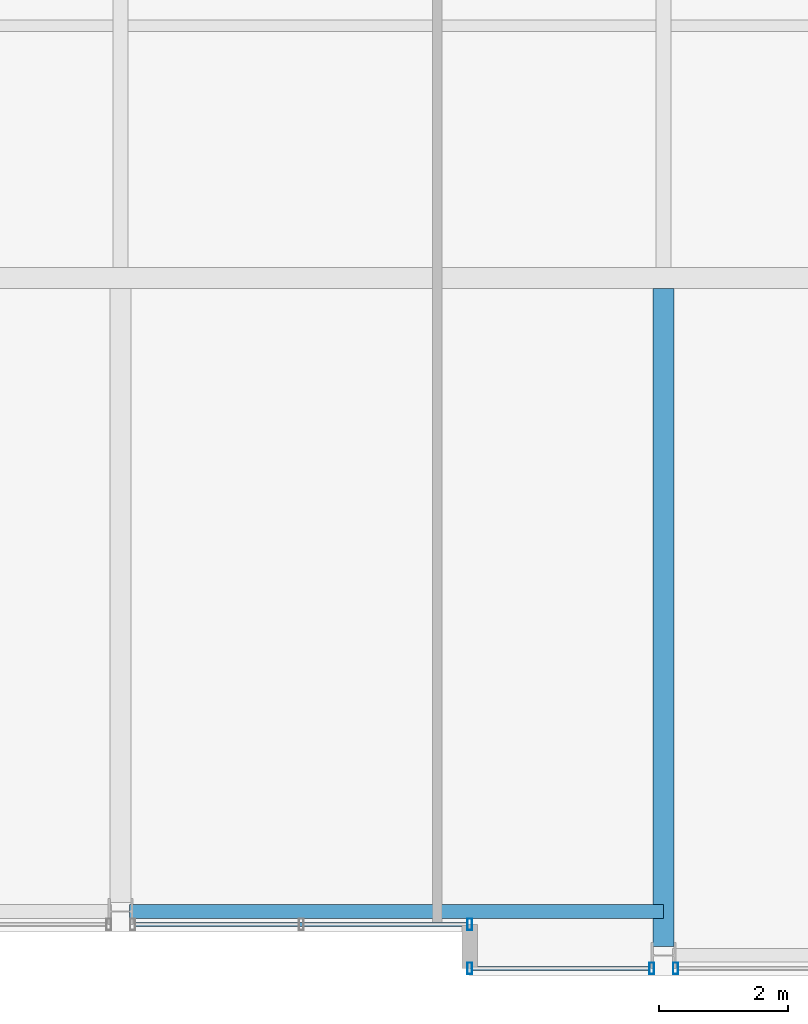
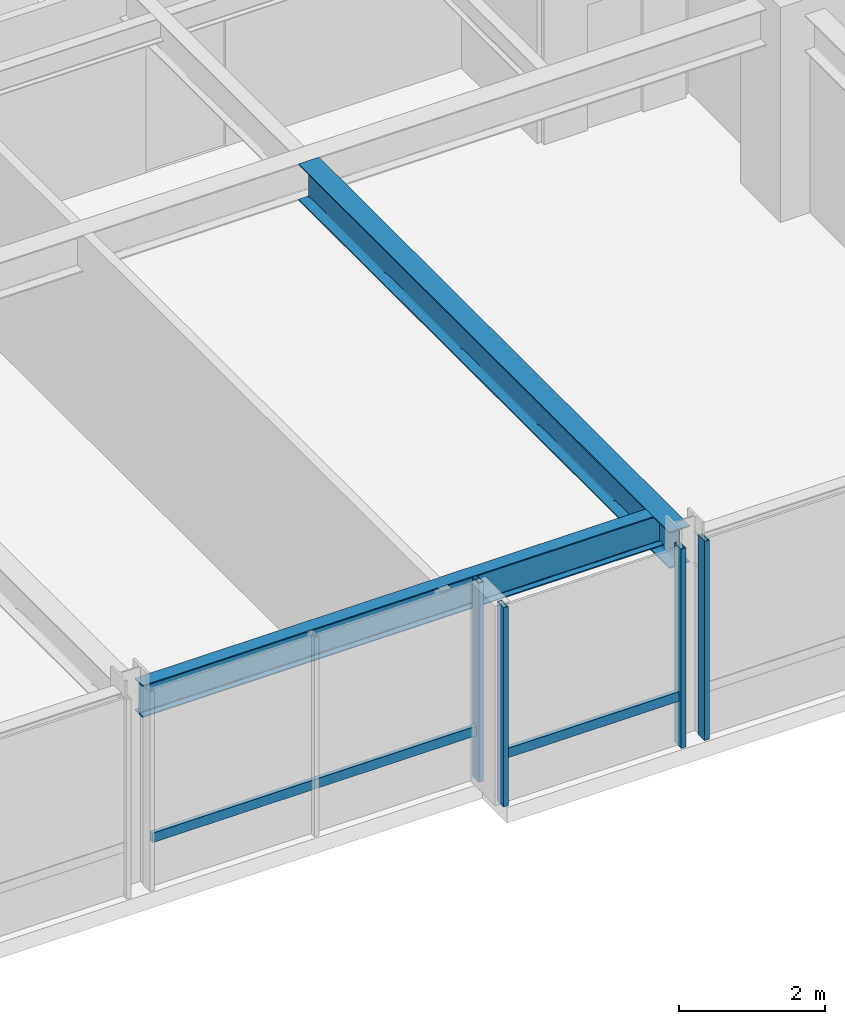
# One storey, part 7 of 32: 6 members, 2 beams, 3 elements without a shape of their own.
"""IFC4 building model written with IfcOpenShell, lengths in metres."""

from ifc_helpers import new_model, si_unit, direction, frame, origin, origin_2d, place, context, subcontext, project, spatial, hollow_rectangle, i_section, extrude, material, layer, layer_set, material_profile, profile_set, type_object, element, aggregate, save


model = new_model("IFC4")

# Units and contexts
model_context = context("Model", 3, precision=1e-05, world=origin(), true_north=direction((0.0, 1.0)))
body_context = subcontext(model_context, "Body", "Model", "MODEL_VIEW")
ifc_project = project(units=[si_unit("LENGTHUNIT", "METRE"), si_unit("AREAUNIT", "SQUARE_METRE"), si_unit("VOLUMEUNIT", "CUBIC_METRE"), si_unit("PLANEANGLEUNIT", "RADIAN"), si_unit("MASSUNIT", "GRAM", prefix="KILO")], contexts=[model_context])

# Site, building, storey
site_placement = place(None, origin())
site = spatial("IfcSite", under=ifc_project, at=site_placement, CompositionType="ELEMENT")
building_placement = place(site_placement, origin())
building = spatial("IfcBuilding", under=site, at=building_placement, Name="Drelvath Grand Hotel", CompositionType="ELEMENT")
storey_placement = place(building_placement, frame((0.0, 0.0, 223.10009765625)))
storey = spatial("IfcBuildingStorey", under=building, at=storey_placement, Name="L58", CompositionType="ELEMENT", Elevation=223.10009765625)

# Curtain wall, member
ifc_material_1 = material(Name="Platinum-Mist Anodised Aluminium Frame", Category="aluminium")
ifc_layer = layer(ifc_material_1, 0.199951171875)
ifc_layer_set = layer_set([ifc_layer], Name="Platinum-Mist Anodised Aluminium Frame")
curtain_wall_type = type_object("IfcCurtainWallType", Name="Stick Curtain Wall CW-05 Platinum Mist High-Rise", PredefinedType="NOTDEFINED", material=ifc_layer_set)
curtain_wall_1_placement = place(storey_placement, origin())
curtain_wall_1 = element("IfcCurtainWall", 1, at=curtain_wall_1_placement, inside=storey, type_object=curtain_wall_type, Name="L58 CW-05 Curtain Wall CW05-L58-SE1", PredefinedType="NOTDEFINED")
ifc_material_profile_1 = material_profile(ifc_material_1, hollow_rectangle(XDim=0.06494140625, YDim=0.159912109375, WallThickness=0.00390625, at=origin_2d()), Name="HSS160X65X4")
ifc_profile_set_1 = profile_set([ifc_material_profile_1], Name="Platinum-Mist Anodised Aluminium Frame")
member_type_1 = type_object("IfcMemberType", Name="Curtain Wall Horizontal Transom CW-05 HSS160X65X4", PredefinedType="USERDEFINED", material=ifc_profile_set_1)
member_1_placement = place(storey_placement, frame((8.1748046875, 0.1201171875, 0.8349609375), z_axis=(-1.0, 0.0, 0.0), x_axis=(0.0, -1.0, 0.0)))
member_1 = element("IfcMember", 2, at=member_1_placement, type_object=member_type_1, Name="CW05-L58-SE1 Sill Transom", ObjectType="TRANSOM", PredefinedType="USERDEFINED", context=body_context, shape_type="SweptSolid", body=[
    extrude(hollow_rectangle(XDim=0.06494140625, YDim=0.159912109375, WallThickness=0.00390625, at=origin_2d()), origin(), (0.0, 0.0, 1.0), 2.73486328125),
])

curtain_wall_2_placement = place(storey_placement, origin())
curtain_wall_2 = element("IfcCurtainWall", 3, at=curtain_wall_2_placement, inside=storey, type_object=curtain_wall_type, Name="L58 CW-05 Curtain Wall CW05-L58-SM2", PredefinedType="NOTDEFINED")
member_2_placement = place(storey_placement, frame((5.360107421875, 0.800048828125, 0.8349609375), z_axis=(-1.0, 0.0, 0.0), x_axis=(0.0, -1.0, 0.0)))
member_2 = element("IfcMember", 4, at=member_2_placement, type_object=member_type_1, Name="CW05-L58-SM2 Sill Transom", ObjectType="TRANSOM", PredefinedType="USERDEFINED", context=body_context, shape_type="SweptSolid", body=[
    extrude(hollow_rectangle(XDim=0.06494140625, YDim=0.159912109375, WallThickness=0.00390625, at=origin_2d()), origin(), (0.0, 0.0, 1.0), 5.134765625),
])

# Member
ifc_material_profile_2 = material_profile(ifc_material_1, hollow_rectangle(XDim=0.074951171875, YDim=0.179931640625, WallThickness=0.0048828125, at=origin_2d()), Name="HSS180X75X5")
ifc_profile_set_2 = profile_set([ifc_material_profile_2], Name="Platinum-Mist Anodised Aluminium Frame")
member_type_2 = type_object("IfcMemberType", Name="Curtain Wall Vertical Mullion CW-05 HSS180X75X5", PredefinedType="MULLION", material=ifc_profile_set_2)
member_3_placement = place(storey_placement, frame((8.214599609375, 0.1201171875, 0.0), z_axis=(0.0, 0.0, 1.0), x_axis=(1.0, 0.0, 0.0)))
member_3 = element("IfcMember", 5, at=member_3_placement, type_object=member_type_2, Name="CW05-L58-SE1 Mullion 1", PredefinedType="MULLION", context=body_context, shape_type="SweptSolid", body=[
    extrude(hollow_rectangle(XDim=0.074951171875, YDim=0.179931640625, WallThickness=0.0048828125, at=origin_2d()), origin(), (0.0, 0.0, 1.0), 3.33984375),
])

member_4_placement = place(storey_placement, frame((5.39990234375, 0.1201171875, 0.0), z_axis=(0.0, 0.0, 1.0), x_axis=(1.0, 0.0, 0.0)))
member_4 = element("IfcMember", 6, at=member_4_placement, type_object=member_type_2, Name="CW05-L58-SE1 Mullion 2", PredefinedType="MULLION", context=body_context, shape_type="SweptSolid", body=[
    extrude(hollow_rectangle(XDim=0.074951171875, YDim=0.179931640625, WallThickness=0.0048828125, at=origin_2d()), origin(), (0.0, 0.0, 1.0), 3.33984375),
])

aggregate(curtain_wall_1, [member_3, member_4, member_1])

# Curtain wall, member
curtain_wall_3_placement = place(storey_placement, origin())
curtain_wall_3 = element("IfcCurtainWall", 7, at=curtain_wall_3_placement, inside=storey, type_object=curtain_wall_type, Name="L58 CW-05 Curtain Wall CW05-L58-SE2", PredefinedType="NOTDEFINED")
member_5_placement = place(storey_placement, frame((8.585205078125, 0.1201171875, 0.0), z_axis=(0.0, 0.0, 1.0), x_axis=(1.0, 0.0, 0.0)))
member_5 = element("IfcMember", 8, at=member_5_placement, type_object=member_type_2, Name="CW05-L58-SE2 Mullion 3", PredefinedType="MULLION", context=body_context, shape_type="SweptSolid", body=[
    extrude(hollow_rectangle(XDim=0.074951171875, YDim=0.179931640625, WallThickness=0.0048828125, at=origin_2d()), origin(), (0.0, 0.0, 1.0), 3.33984375),
])
aggregate(curtain_wall_3, [member_5])

# Member
member_6_placement = place(storey_placement, frame((5.39990234375, 0.800048828125, 0.0), z_axis=(0.0, 0.0, 1.0), x_axis=(1.0, 0.0, 0.0)))
member_6 = element("IfcMember", 9, at=member_6_placement, type_object=member_type_2, Name="CW05-L58-SM2 Mullion 1", PredefinedType="MULLION", context=body_context, shape_type="SweptSolid", body=[
    extrude(hollow_rectangle(XDim=0.074951171875, YDim=0.179931640625, WallThickness=0.0048828125, at=origin_2d()), origin(), (0.0, 0.0, 1.0), 3.33984375),
])

aggregate(curtain_wall_2, [member_6, member_2])

# Beams
ifc_material_2 = material(Name="Steel ASTM A992 Gr 50", Category="steel")
ifc_material_profile_3 = material_profile(ifc_material_2, i_section(OverallWidth=0.210205078125, OverallDepth=0.53662109375, WebThickness=0.010986328125, FlangeThickness=0.017333984375, FilletRadius=0.01806640625, at=origin_2d()), Name="W21X68")
ifc_profile_set_3 = profile_set([ifc_material_profile_3], Name="Steel ASTM A992 Gr 50")
beam_type_1 = type_object("IfcBeamType", Name="Perimeter Spandrel Beam W21X68", PredefinedType="SPANDREL", material=ifc_profile_set_3)
beam_1_placement = place(storey_placement, frame((0.139892578125, 1.0, 3.071533203125), z_axis=(1.0, 0.0, 0.0), x_axis=(0.0, 1.0, 0.0)))
element("IfcBeam", 10, at=beam_1_placement, inside=storey, type_object=beam_type_1, Name="L58 Spandrel South Mid E", PredefinedType="SPANDREL", context=body_context, shape_type="SweptSolid", body=[
    extrude(i_section(OverallWidth=0.210205078125, OverallDepth=0.53662109375, WebThickness=0.010986328125, FlangeThickness=0.017333984375, FilletRadius=0.01806640625, at=origin_2d()), origin(), (0.0, 0.0, 1.0), 8.260009765625),
])
ifc_material_profile_4 = material_profile(ifc_material_2, i_section(OverallWidth=0.323974609375, OverallDepth=0.611083984375, WebThickness=0.0126953125, FlangeThickness=0.01904296875, FilletRadius=0.02197265625, at=origin_2d()), Name="W24X104")
ifc_profile_set_4 = profile_set([ifc_material_profile_4], Name="Steel ASTM A992 Gr 50")
beam_type_2 = type_object("IfcBeamType", Name="Primary Floor Girder W24X104", PredefinedType="BEAM", material=ifc_profile_set_4)
beam_2_placement = place(storey_placement, frame((8.39990234375, 0.4599609375, 3.034423828125), z_axis=(0.0, 1.0, 0.0), x_axis=(-1.0, 0.0, 0.0)))
element("IfcBeam", 11, at=beam_2_placement, inside=storey, type_object=beam_type_2, Name="L58 South Wing Girder 6", PredefinedType="BEAM", context=body_context, shape_type="SweptSolid", body=[
    extrude(i_section(OverallWidth=0.323974609375, OverallDepth=0.611083984375, WebThickness=0.0126953125, FlangeThickness=0.01904296875, FilletRadius=0.02197265625, at=origin_2d()), origin(), (0.0, 0.0, 1.0), 10.177978515625),
])

save(model, "model.ifc")
